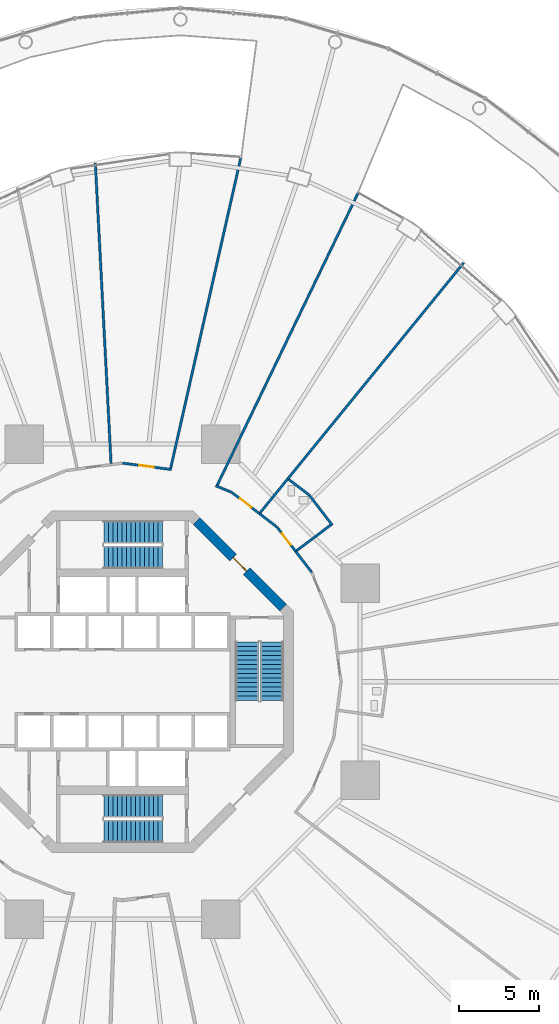
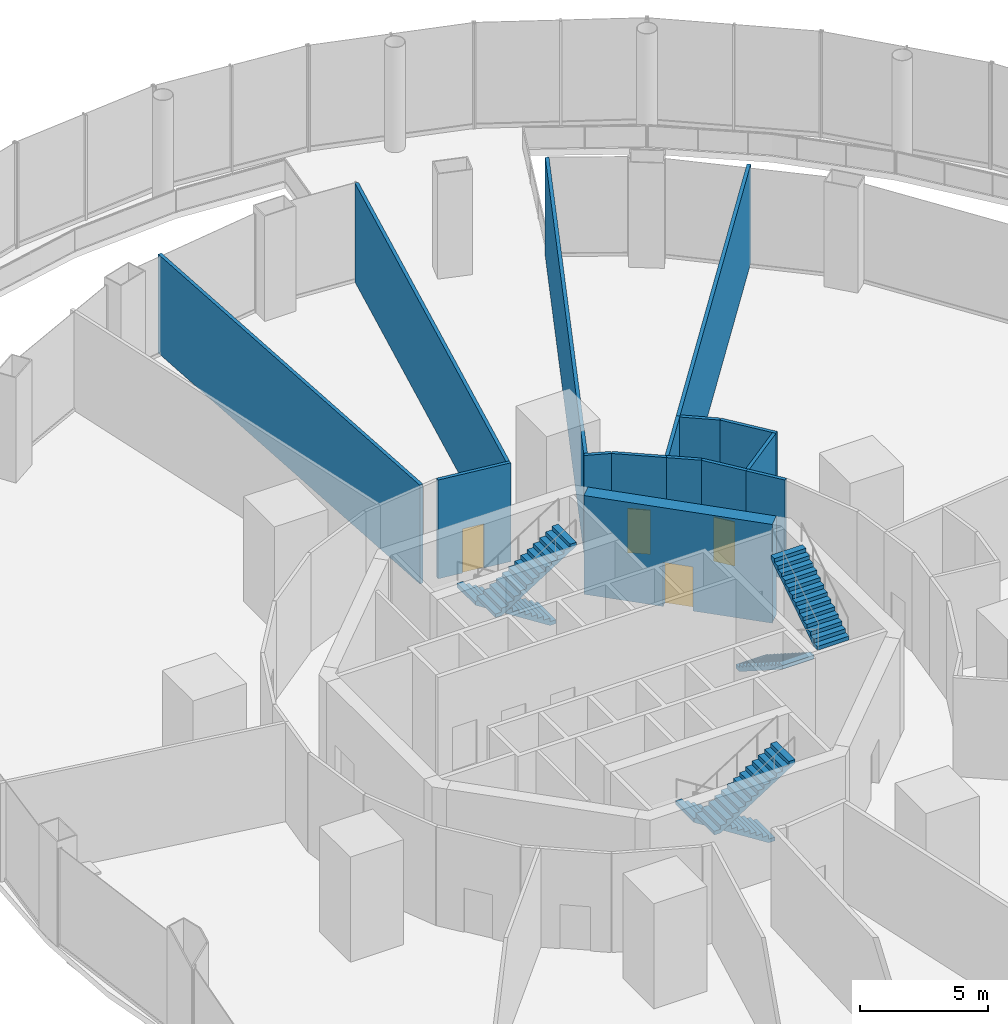
# One storey, part 44 of 47: 15 walls, 6 stair flights, 4 doors, 4 openings, 3 elements without a shape of their own.
"""IFC4 building model written with IfcOpenShell, lengths in metres."""

import ifcopenshell
import ifcopenshell.guid

model = None  # the IFC model being written
_history = None  # IfcOwnerHistory: only IFC2X3 demands one
_inside = {}  # id of a spatial element -> (the spatial element, [elements in it])
_under = {}  # id of a project, library or spatial element -> (it, [spatial elements below it])
_declared = {}  # id of a project -> (the project, [libraries it declares])
_typed = {}  # id of a type object -> (the type object, [elements of that type])
_made_of = {}  # id of a material, layer set ... -> (it, [elements and type objects made of it])


def new_model(schema):
    """Start an empty IFC model of exactly this schema.

    Asked for "IFC4X3", IfcOpenShell would pick the latest addendum, in which some entities
    have other attributes; the version numbers below select the first issue.
    IFC2X3 requires an IfcOwnerHistory on every rooted entity: one is made here for all.
    """
    global model, _history
    if schema == "IFC4X3":
        model = ifcopenshell.file(schema_version=(4, 3, 0, 0))
    else:
        model = ifcopenshell.file(schema=schema)
    _inside.clear()
    _under.clear()
    _declared.clear()
    _typed.clear()
    _made_of.clear()
    _history = None
    if model.schema == "IFC2X3":
        org = make("IfcOrganization", Name="unknown")
        user = make(
            "IfcPersonAndOrganization",
            ThePerson=make("IfcPerson", FamilyName="unknown"),
            TheOrganization=org,
        )
        app = make(
            "IfcApplication",
            ApplicationDeveloper=org,
            Version="unknown",
            ApplicationFullName="unknown",
            ApplicationIdentifier="unknown",
        )
        _history = make(
            "IfcOwnerHistory",
            OwningUser=user,
            OwningApplication=app,
            ChangeAction="ADDED",
            CreationDate=0,
        )
    return model


def make(cls, **values):
    """One entity of the class cls with the attributes given. An attribute that is None is left unset."""
    return model.create_entity(
        cls, **{name: value for name, value in values.items() if value is not None}
    )


def rooted(cls, **values):
    """An entity with a GlobalId (a new one), such as an element, a storey or a relation."""
    return make(cls, GlobalId=ifcopenshell.guid.new(), OwnerHistory=_history, **values)


def si_unit(unit_type, name, prefix=None):
    """IfcSIUnit, for example si_unit("LENGTHUNIT", "METRE", prefix="MILLI")."""
    return make("IfcSIUnit", UnitType=unit_type, Prefix=prefix, Name=name)


def assignment(units):
    """IfcUnitAssignment: the units of a project."""
    return None if units is None else make("IfcUnitAssignment", Units=units)


def point(xyz):
    """IfcCartesianPoint."""
    return None if xyz is None else make("IfcCartesianPoint", Coordinates=xyz)


def direction(xyz):
    """IfcDirection."""
    return None if xyz is None else make("IfcDirection", DirectionRatios=xyz)


def frame(location, z_axis=None, x_axis=None):
    """IfcAxis2Placement3D, a coordinate frame: its origin and axes. An axis left out is left unset."""
    return make(
        "IfcAxis2Placement3D",
        Location=point(location),
        Axis=direction(z_axis),
        RefDirection=direction(x_axis),
    )


def frame_2d(location, x_axis=None):
    """IfcAxis2Placement2D, a coordinate frame in the plane: its origin and x axis."""
    return make(
        "IfcAxis2Placement2D", Location=point(location), RefDirection=direction(x_axis)
    )


def origin():
    """The frame at (0, 0, 0) with its axes left unset."""
    return frame((0.0, 0.0, 0.0))


def place(relative_to, where):
    """IfcLocalPlacement: puts the frame where relative to a parent placement (None: the world)."""
    return make(
        "IfcLocalPlacement", PlacementRelTo=relative_to, RelativePlacement=where
    )


def context(
    kind, dimensions, precision=None, world=None, true_north=None, identifier=None
):
    """IfcGeometricRepresentationContext, for example the 3D "Model" context."""
    return make(
        "IfcGeometricRepresentationContext",
        ContextIdentifier=identifier,
        ContextType=kind,
        CoordinateSpaceDimension=dimensions,
        Precision=precision,
        WorldCoordinateSystem=world,
        TrueNorth=true_north,
    )


def subcontext(parent, identifier, kind, view, scale=None):
    """IfcGeometricRepresentationSubContext, for example "Body" below "Model"."""
    return make(
        "IfcGeometricRepresentationSubContext",
        ContextIdentifier=identifier,
        ContextType=kind,
        ParentContext=parent,
        TargetScale=scale,
        TargetView=view,
    )


def project(units=None, contexts=None):
    """IfcProject with its units and contexts."""
    return rooted(
        "IfcProject",
        Name="project",
        RepresentationContexts=contexts,
        UnitsInContext=assignment(units),
    )


def spatial(cls, under=None, at=None, **own):
    """A site, building, storey or space (cls), placed at a placement, below another one or the project."""
    s = rooted(cls, ObjectPlacement=at, **own)
    if under is not None:
        _under.setdefault(under.id(), (under, []))[1].append(s)
    return s


def polyline(points):
    """IfcPolyline through the points."""
    return make("IfcPolyline", Points=[point(p) for p in points])


def profile(cls, at=None, kind="AREA", **sizes):
    """A parametric profile (cls). Its sizes go by their IFC names, for example OverallWidth=200.0."""
    return make(cls, ProfileType=kind, Position=at, **sizes)


def rectangle(**sizes):
    """IfcRectangleProfileDef."""
    return profile("IfcRectangleProfileDef", **sizes)


def outline(outer, holes=None, kind="AREA"):
    """IfcArbitraryClosedProfileDef: a profile drawn as a closed curve; with holes, ...WithVoids."""
    if holes is None:
        return make("IfcArbitraryClosedProfileDef", ProfileType=kind, OuterCurve=outer)
    return make(
        "IfcArbitraryProfileDefWithVoids",
        ProfileType=kind,
        OuterCurve=outer,
        InnerCurves=holes,
    )


def extrude(swept, where, along, depth):
    """IfcExtrudedAreaSolid: the profile swept, set in the frame where, extruded along a direction by depth."""
    return make(
        "IfcExtrudedAreaSolid",
        SweptArea=swept,
        Position=where,
        ExtrudedDirection=direction(along),
        Depth=depth,
    )


def shape(context_of_items, identifier, shape_type, items):
    """IfcShapeRepresentation: the items that make up one representation, for example the "Body"."""
    return make(
        "IfcShapeRepresentation",
        ContextOfItems=context_of_items,
        RepresentationIdentifier=identifier,
        RepresentationType=shape_type,
        Items=items,
    )


def material(Name=None, Category=None):
    """IfcMaterial."""
    return make("IfcMaterial", Name=Name, Category=Category)


def layer(
    of_material, thickness, ventilated=None, Name=None, Category=None, Priority=None
):
    """IfcMaterialLayer: one layer of a wall or slab, of a material (None: an air gap)."""
    return make(
        "IfcMaterialLayer",
        Material=of_material,
        LayerThickness=thickness,
        IsVentilated=ventilated,
        Name=Name,
        Category=Category,
        Priority=Priority,
    )


def layer_set(layers, Name=None):
    """IfcMaterialLayerSet."""
    return make("IfcMaterialLayerSet", MaterialLayers=layers, LayerSetName=Name)


def made_of(thing, what):
    """Note that an element or type object is made of a material, layer set ...; save() writes the relation."""
    if what is not None:
        _made_of.setdefault(what.id(), (what, []))[1].append(thing)
    return thing


def type_object(cls, material=None, **own):
    """A type object (cls), such as IfcWallType, which elements share."""
    return made_of(rooted(cls, **own), material)


def element(
    cls,
    number,
    at=None,
    inside=None,
    cuts=None,
    type_object=None,
    material=None,
    context=None,
    identifier="Body",
    shape_type=None,
    held_by="IfcProductDefinitionShape",
    body=None,
    shapes=None,
    **own,
):
    """One element of the class cls, such as IfcWall. Its Tag is "e" and its number.

    at: its placement. inside: the storey or other place that contains it. cuts: it is an
    opening in that element (IfcRelVoidsElement). A single representation is given by context,
    identifier, shape_type and body (its items); several are given by shapes. held_by: the class
    of the entity that holds the representations. save() writes the other relations.
    """
    e = rooted(cls, Tag="e%d" % number, ObjectPlacement=at, **own)
    if body is not None:
        shapes = [shape(context, identifier, shape_type, body)]
    if shapes is not None:
        e.Representation = make(held_by, Representations=shapes)
    if inside is not None:
        _inside.setdefault(inside.id(), (inside, []))[1].append(e)
    if cuts is not None:
        rooted(
            "IfcRelVoidsElement", RelatingBuildingElement=cuts, RelatedOpeningElement=e
        )
    if type_object is not None:
        _typed.setdefault(type_object.id(), (type_object, []))[1].append(e)
    return made_of(e, material)


def fill(opening, filler):
    """IfcRelFillsElement: the door or window that sits in an opening."""
    return rooted(
        "IfcRelFillsElement",
        RelatingOpeningElement=opening,
        RelatedBuildingElement=filler,
    )


def aggregate(whole, parts):
    """IfcRelAggregates: a whole, such as a stair, and the parts it consists of."""
    return rooted("IfcRelAggregates", RelatingObject=whole, RelatedObjects=parts)


def save(model, path):
    """Write the relations noted so far, then the file.

    IfcRelAggregates (storeys below a building ...), IfcRelContainedInSpatialStructure (elements
    in a storey), IfcRelDefinesByType, IfcRelAssociatesMaterial and IfcRelDeclares: one each for
    every whole, place, type object, material and project.
    """
    for whole, parts in _under.values():
        aggregate(whole, parts)
    for where, things in _inside.values():
        rooted(
            "IfcRelContainedInSpatialStructure",
            RelatedElements=things,
            RelatingStructure=where,
        )
    for kind, things in _typed.values():
        rooted("IfcRelDefinesByType", RelatedObjects=things, RelatingType=kind)
    for what, things in _made_of.values():
        rooted("IfcRelAssociatesMaterial", RelatedObjects=things, RelatingMaterial=what)
    for by, libraries in _declared.values():
        rooted("IfcRelDeclares", RelatingContext=by, RelatedDefinitions=libraries)
    model.write(path)


model = new_model("IFC4")

# Units and contexts
model_context = context("Model", 3, precision=1e-05, world=origin(), true_north=direction((0.0, 1.0)))
body_context = subcontext(model_context, "Body", "Model", "MODEL_VIEW")
ifc_project = project(units=[si_unit("LENGTHUNIT", "METRE"), si_unit("AREAUNIT", "SQUARE_METRE"), si_unit("VOLUMEUNIT", "CUBIC_METRE"), si_unit("PLANEANGLEUNIT", "RADIAN"), si_unit("MASSUNIT", "GRAM", prefix="KILO")], contexts=[model_context])

# Site, building, storey
site_placement = place(None, origin())
site = spatial("IfcSite", under=ifc_project, at=site_placement, CompositionType="ELEMENT")
building_placement = place(site_placement, origin())
building = spatial("IfcBuilding", under=site, at=building_placement, Name="Nagisa Residences", CompositionType="ELEMENT")
storey_placement = place(building_placement, frame((0.0, 0.0, 7.0)))
storey = spatial("IfcBuildingStorey", under=building, at=storey_placement, Name="L01", CompositionType="ELEMENT", Elevation=7.0)

# Wall, opening, door
ifc_material_1 = material(Name="Concrete C60", Category="concrete")
ifc_layer_1 = layer(ifc_material_1, 0.60009765625)
ifc_layer_set_1 = layer_set([ifc_layer_1], Name="Core shear wall 600")
wall_type_1 = type_object("IfcWallType", Name="Core shear wall 600", PredefinedType="SHEAR", material=ifc_layer_set_1)
wall_1_placement = place(storey_placement, frame((9.98828125, 4.613037109375, 0.0), z_axis=(0.0, 0.0, 1.0), x_axis=(-0.707106781187, 0.707106781187, 0.0)))
wall_1 = element("IfcWall", 1, at=wall_1_placement, inside=storey, type_object=wall_type_1, Name="wall:L01:core:flat1", PredefinedType="SHEAR", context=body_context, shape_type="SweptSolid", body=[
    extrude(rectangle(XDim=7.601806640625, YDim=0.60009765625, at=frame_2d((3.80078125, 0.0))), origin(), (0.0, 0.0, 1.0), 4.699951171875),
])
opening_1_placement = place(wall_1_placement, frame((3.200927734375, 0.0, 0.0)))
opening_1 = element("IfcOpeningElement", 2, at=opening_1_placement, cuts=wall_1, Name="Opening L01-C15", PredefinedType="OPENING", context=body_context, shape_type="SweptSolid", body=[
    extrude(rectangle(XDim=1.199951171875, YDim=2.10009765625, at=frame_2d((0.60009765625, 1.050048828125))), frame((0.0, 0.31005859375, 0.0), z_axis=(0.0, -1.0, 0.0), x_axis=(1.0, 0.0, 0.0)), (0.0, 0.0, 1.0), 0.6201171875),
])
ifc_material_2 = material(Name="Steel fire door", Category="steel")
door_type_1 = type_object("IfcDoorType", Name="Fire door EI60 1200x2100 single swing", OperationType="NOTDEFINED", PredefinedType="DOOR", material=ifc_material_2)
door_1_placement = place(opening_1_placement, origin())
door_1 = element("IfcDoor", 3, at=door_1_placement, inside=storey, type_object=door_type_1, Name="Firefighting lobby 1 door L01", OperationType="SINGLE_SWING_LEFT", OverallHeight=2.10009765625, OverallWidth=1.199951171875, PredefinedType="DOOR", context=body_context, shape_type="SweptSolid", body=[
    extrude(rectangle(XDim=1.199951171875, YDim=2.10009765625, at=frame_2d((0.60009765625, 1.050048828125))), frame((0.0, 0.02490234375, 0.0), z_axis=(0.0, -1.0, 0.0), x_axis=(1.0, 0.0, 0.0)), (0.0, 0.0, 1.0), 0.050048828125),
])
fill(opening_1, door_1)

# Wall
ifc_material_3 = material(Name="Gypsum board on steel studs", Category="steel")
ifc_layer_2 = layer(ifc_material_3, 0.14990234375)
ifc_layer_set_2 = layer_set([ifc_layer_2], Name="Room partition EI60 150")
wall_type_2 = type_object("IfcWallType", Name="Room partition EI60 150", PredefinedType="PARTITIONING", material=ifc_layer_set_2)
wall_2_placement = place(storey_placement, frame((-0.7119140625, 13.58203125, 0.0), z_axis=(0.0, 0.0, 1.0), x_axis=(-0.052329494039, 0.998629873403, 0.0)))
element("IfcWall", 4, at=wall_2_placement, inside=storey, type_object=wall_type_2, Name="wall:L01:am019", PredefinedType="PARTITIONING", context=body_context, shape_type="SweptSolid", body=[
    extrude(rectangle(XDim=18.7177734375, YDim=0.14990234375, at=frame_2d((9.35888671875, 0.0))), origin(), (0.0, 0.0, 1.0), 4.699951171875),
])

# Wall, opening, door
wall_3_placement = place(storey_placement, frame((0.01171875, 13.598388671875, 0.0), z_axis=(0.0, 0.0, 1.0), x_axis=(0.991450776896, -0.130481251495, 0.0)))
wall_3 = element("IfcWall", 5, at=wall_3_placement, inside=storey, type_object=wall_type_2, Name="wall:L01:am021", PredefinedType="PARTITIONING", context=body_context, shape_type="SweptSolid", body=[
    extrude(rectangle(XDim=3.070556640625, YDim=0.14990234375, at=frame_2d((1.53515625, 0.0))), origin(), (0.0, 0.0, 1.0), 4.699951171875),
])
opening_2_placement = place(wall_3_placement, frame((1.04150390625, 0.0, 0.0)))
opening_2 = element("IfcOpeningElement", 6, at=opening_2_placement, cuts=wall_3, Name="Opening L01-A04", PredefinedType="OPENING", context=body_context, shape_type="SweptSolid", body=[
    extrude(rectangle(XDim=0.89990234375, YDim=2.10009765625, at=frame_2d((0.449951171875, 1.050048828125))), frame((0.0, 0.0849609375, 0.0), z_axis=(0.0, -1.0, 0.0), x_axis=(1.0, 0.0, 0.0)), (0.0, 0.0, 1.0), 0.169921875),
])
ifc_material_4 = material(Name="Steel fire door", Category="steel")
door_type_2 = type_object("IfcDoorType", Name="Fire door EI30 900x2100 single swing", OperationType="NOTDEFINED", PredefinedType="DOOR", material=ifc_material_4)
door_2_placement = place(opening_2_placement, origin())
door_2 = element("IfcDoor", 7, at=door_2_placement, inside=storey, type_object=door_type_2, Name="Yoga studio 2 door", OperationType="SINGLE_SWING_RIGHT", OverallHeight=2.10009765625, OverallWidth=0.89990234375, PredefinedType="DOOR", context=body_context, shape_type="SweptSolid", body=[
    extrude(rectangle(XDim=0.89990234375, YDim=2.10009765625, at=frame_2d((0.449951171875, 1.050048828125))), frame((0.0, 0.02490234375, 0.0), z_axis=(0.0, -1.0, 0.0), x_axis=(1.0, 0.0, 0.0)), (0.0, 0.0, 1.0), 0.050048828125),
])
fill(opening_2, door_2)

# Walls
wall_4_placement = place(storey_placement, frame((2.997802734375, 13.281005859375, 0.0), z_axis=(0.0, 0.0, 1.0), x_axis=(0.220191699756, 0.975456618901, 0.0)))
element("IfcWall", 8, at=wall_4_placement, inside=storey, type_object=wall_type_2, Name="wall:L01:am022", PredefinedType="PARTITIONING", context=body_context, shape_type="SweptSolid", body=[
    extrude(rectangle(XDim=19.82470703125, YDim=0.14990234375, at=frame_2d((9.912353515625, 0.0))), origin(), (0.0, 0.0, 1.0), 4.699951171875),
])
wall_5_placement = place(storey_placement, frame((5.79541015625, 12.194091796875, 0.0), z_axis=(0.0, 0.0, 1.0), x_axis=(0.923867429555, -0.382712650179, 0.0)))
element("IfcWall", 9, at=wall_5_placement, inside=storey, type_object=wall_type_2, Name="wall:L01:am023", PredefinedType="PARTITIONING", context=body_context, shape_type="SweptSolid", body=[
    extrude(rectangle(XDim=1.075439453125, YDim=0.14990234375, at=frame_2d((0.53759765625, 0.0))), origin(), (0.0, 0.0, 1.0), 4.699951171875),
])

# Wall, opening, door
wall_6_placement = place(storey_placement, frame((6.809326171875, 11.770751953125, 0.0), z_axis=(0.0, 0.0, 1.0), x_axis=(0.793372937326, -0.608735888805, 0.0)))
wall_6 = element("IfcWall", 10, at=wall_6_placement, inside=storey, type_object=wall_type_2, Name="wall:L01:am024", PredefinedType="PARTITIONING", context=body_context, shape_type="SweptSolid", body=[
    extrude(rectangle(XDim=2.1552734375, YDim=0.14990234375, at=frame_2d((1.07763671875, 0.0))), origin(), (0.0, 0.0, 1.0), 4.699951171875),
])
opening_3_placement = place(wall_6_placement, frame((0.62158203125, 0.0, 0.0)))
opening_3 = element("IfcOpeningElement", 11, at=opening_3_placement, cuts=wall_6, Name="Opening L01-A03", PredefinedType="OPENING", context=body_context, shape_type="SweptSolid", body=[
    extrude(rectangle(XDim=0.89990234375, YDim=2.10009765625, at=frame_2d((0.449951171875, 1.050048828125))), frame((0.0, 0.0849609375, 0.0), z_axis=(0.0, -1.0, 0.0), x_axis=(1.0, 0.0, 0.0)), (0.0, 0.0, 1.0), 0.169921875),
])
door_3_placement = place(opening_3_placement, origin())
door_3 = element("IfcDoor", 12, at=door_3_placement, inside=storey, type_object=door_type_2, Name="Yoga studio 1 door", OperationType="SINGLE_SWING_LEFT", OverallHeight=2.10009765625, OverallWidth=0.89990234375, PredefinedType="DOOR", context=body_context, shape_type="SweptSolid", body=[
    extrude(rectangle(XDim=0.89990234375, YDim=2.10009765625, at=frame_2d((0.449951171875, 1.050048828125))), frame((0.0, 0.02490234375, 0.0), z_axis=(0.0, -1.0, 0.0), x_axis=(1.0, 0.0, 0.0)), (0.0, 0.0, 1.0), 0.050048828125),
])
fill(opening_3, door_3)

# Walls
wall_7_placement = place(storey_placement, frame((8.519287109375, 10.458740234375, 0.0), z_axis=(0.0, 0.0, 1.0), x_axis=(0.793371316762, -0.6087380009, 0.0)))
element("IfcWall", 13, at=wall_7_placement, inside=storey, type_object=wall_type_2, Name="wall:L01:am025", PredefinedType="PARTITIONING", context=body_context, shape_type="SweptSolid", body=[
    extrude(rectangle(XDim=1.371337890625, YDim=0.14990234375, at=frame_2d((0.685546875, 0.0))), origin(), (0.0, 0.0, 1.0), 4.699951171875),
])
wall_8_placement = place(storey_placement, frame((8.566650390625, 10.51708984375, 0.0), z_axis=(0.0, 0.0, 1.0), x_axis=(0.631573271363, 0.775316195432, 0.0)))
element("IfcWall", 14, at=wall_8_placement, inside=storey, type_object=wall_type_2, Name="wall:L01:am026", PredefinedType="PARTITIONING", context=body_context, shape_type="SweptSolid", body=[
    extrude(rectangle(XDim=2.72607421875, YDim=0.14990234375, at=frame_2d((1.363037109375, 0.0))), origin(), (0.0, 0.0, 1.0), 4.699951171875),
])

# Wall, opening, door
wall_9_placement = place(storey_placement, frame((9.6240234375, 9.607177734375, 0.0), z_axis=(0.0, 0.0, 1.0), x_axis=(0.608754453805, -0.793358692504, 0.0)))
wall_9 = element("IfcWall", 15, at=wall_9_placement, inside=storey, type_object=wall_type_2, Name="wall:L01:am027", PredefinedType="PARTITIONING", context=body_context, shape_type="SweptSolid", body=[
    extrude(rectangle(XDim=1.888427734375, YDim=0.14990234375, at=frame_2d((0.9443359375, 0.0))), origin(), (0.0, 0.0, 1.0), 4.699951171875),
])
opening_4_placement = place(wall_9_placement, frame((0.48828125, 0.0, 0.0)))
opening_4 = element("IfcOpeningElement", 16, at=opening_4_placement, cuts=wall_9, Name="Opening L01-A01", PredefinedType="OPENING", context=body_context, shape_type="SweptSolid", body=[
    extrude(rectangle(XDim=0.89990234375, YDim=2.10009765625, at=frame_2d((0.449951171875, 1.050048828125))), frame((0.0, 0.0849609375, 0.0), z_axis=(0.0, -1.0, 0.0), x_axis=(1.0, 0.0, 0.0)), (0.0, 0.0, 1.0), 0.169921875),
])
door_4_placement = place(opening_4_placement, origin())
door_4 = element("IfcDoor", 17, at=door_4_placement, inside=storey, type_object=door_type_2, Name="Accessible WC door", OperationType="SINGLE_SWING_LEFT", OverallHeight=2.10009765625, OverallWidth=0.89990234375, PredefinedType="DOOR", context=body_context, shape_type="SweptSolid", body=[
    extrude(rectangle(XDim=0.89990234375, YDim=2.10009765625, at=frame_2d((0.449951171875, 1.050048828125))), frame((0.0, 0.02490234375, 0.0), z_axis=(0.0, -1.0, 0.0), x_axis=(1.0, 0.0, 0.0)), (0.0, 0.0, 1.0), 0.050048828125),
])
fill(opening_4, door_4)

# Walls
wall_10_placement = place(storey_placement, frame((10.347900390625, 12.5849609375, 0.0), z_axis=(0.0, 0.0, 1.0), x_axis=(0.793328373205, -0.608793965368, 0.0)))
element("IfcWall", 18, at=wall_10_placement, inside=storey, type_object=wall_type_2, Name="wall:L01:am028", PredefinedType="PARTITIONING", context=body_context, shape_type="SweptSolid", body=[
    extrude(rectangle(XDim=1.583740234375, YDim=0.14990234375, at=frame_2d((0.7919921875, 0.0))), origin(), (0.0, 0.0, 1.0), 4.699951171875),
])
wall_11_placement = place(storey_placement, frame((10.288330078125, 12.630615234375, 0.0), z_axis=(0.0, 0.0, 1.0), x_axis=(0.631546535922, 0.77533797338, 0.0)))
element("IfcWall", 19, at=wall_11_placement, inside=storey, type_object=wall_type_2, Name="wall:L01:am029", PredefinedType="PARTITIONING", context=body_context, shape_type="SweptSolid", body=[
    extrude(rectangle(XDim=17.3251953125, YDim=0.14990234375, at=frame_2d((8.66259765625, 0.0))), origin(), (0.0, 0.0, 1.0), 4.699951171875),
])
wall_12_placement = place(storey_placement, frame((10.773681640625, 8.10888671875, 0.0), z_axis=(0.0, 0.0, 1.0), x_axis=(0.608716251771, -0.793388003961, 0.0)))
element("IfcWall", 20, at=wall_12_placement, inside=storey, type_object=wall_type_2, Name="wall:L01:am031", PredefinedType="PARTITIONING", context=body_context, shape_type="SweptSolid", body=[
    extrude(rectangle(XDim=1.637939453125, YDim=0.14990234375, at=frame_2d((0.81884765625, 0.0))), origin(), (0.0, 0.0, 1.0), 4.699951171875),
])
wall_13_placement = place(storey_placement, frame((11.620849609375, 11.604248046875, 0.0), z_axis=(0.0, 0.0, 1.0), x_axis=(0.608759688573, -0.793354675771, 0.0)))
element("IfcWall", 21, at=wall_13_placement, inside=storey, type_object=wall_type_2, Name="wall:L01:am032", PredefinedType="PARTITIONING", context=body_context, shape_type="SweptSolid", body=[
    extrude(rectangle(XDim=2.358154296875, YDim=0.14990234375, at=frame_2d((1.17919921875, 0.0))), origin(), (0.0, 0.0, 1.0), 4.699951171875),
])
wall_14_placement = place(storey_placement, frame((12.950927734375, 9.747802734375, 0.0), z_axis=(0.0, 0.0, 1.0), x_axis=(-0.798970748419, -0.601369888813, 0.0)))
element("IfcWall", 22, at=wall_14_placement, inside=storey, type_object=wall_type_2, Name="wall:L01:am035", PredefinedType="PARTITIONING", context=body_context, shape_type="SweptSolid", body=[
    extrude(rectangle(XDim=2.650146484375, YDim=0.14990234375, at=frame_2d((1.3251953125, 0.0))), origin(), (0.0, 0.0, 1.0), 4.699951171875),
])
wall_15_placement = place(storey_placement, frame((14.654296875, 30.397705078125, 0.0), z_axis=(0.0, 0.0, 1.0), x_axis=(-0.434261119912, -0.900787033506, 0.0)))
element("IfcWall", 23, at=wall_15_placement, inside=storey, type_object=wall_type_2, Name="wall:L01:am041", PredefinedType="PARTITIONING", context=body_context, shape_type="SweptSolid", body=[
    extrude(rectangle(XDim=20.16552734375, YDim=0.14990234375, at=frame_2d((10.082763671875, 0.0))), origin(), (0.0, 0.0, 1.0), 4.699951171875),
])

# Stair, stair flights
ifc_material_5 = material(Name="Concrete C60", Category="concrete")
stair_type = type_object("IfcStairType", Name="Exit stair", PredefinedType="HALF_TURN_STAIR", material=ifc_material_5)
stair_1_placement = place(storey_placement, origin())
stair_1 = element("IfcStair", 24, at=stair_1_placement, inside=storey, type_object=stair_type, Name="L01 Exit stair E", PredefinedType="HALF_TURN_STAIR")
ifc_material_6 = material(Name="Concrete C60", Category="concrete")
stair_flight_type = type_object("IfcStairFlightType", Name="Exit stair flight", PredefinedType="STRAIGHT", material=ifc_material_6)
stair_flight_1_placement = place(storey_placement, frame((7.737060546875, 2.47509765625, 0.0), z_axis=(0.0, 0.0, 1.0), x_axis=(0.0, -1.0, 0.0)))
stair_flight_1 = element("IfcStairFlight", 25, at=stair_flight_1_placement, type_object=stair_flight_type, Name="ST-E flight 1", NumberOfRisers=14, NumberOfTreads=13, PredefinedType="STRAIGHT", RiserHeight=0.178571429, TreadLength=0.28, context=body_context, shape_type="SweptSolid", body=[
    extrude(outline(polyline([(0.0, 0.0), (0.0, 0.178466796875), (0.280029296875, 0.178466796875), (0.280029296875, 0.357177734375), (0.56005859375, 0.357177734375), (0.56005859375, 0.53564453125), (0.840087890625, 0.53564453125), (0.840087890625, 0.71435546875), (1.1201171875, 0.71435546875), (1.1201171875, 0.892822265625), (1.39990234375, 0.892822265625), (1.39990234375, 1.071533203125), (1.679931640625, 1.071533203125), (1.679931640625, 1.25), (1.9599609375, 1.25), (1.9599609375, 1.428466796875), (2.239990234375, 1.428466796875), (2.239990234375, 1.607177734375), (2.52001953125, 1.607177734375), (2.52001953125, 1.78564453125), (2.800048828125, 1.78564453125), (2.800048828125, 1.96435546875), (3.080078125, 1.96435546875), (3.080078125, 2.142822265625), (3.360107421875, 2.142822265625), (3.360107421875, 2.321533203125), (3.639892578125, 2.321533203125), (3.639892578125, 2.5), (3.639892578125, 2.1435546875), (0.27880859375, 0.0), (0.0, 0.0)])), frame((0.0, 0.71240234375, 0.0), z_axis=(0.0, -1.0, 0.0), x_axis=(1.0, 0.0, 0.0)), (0.0, 0.0, 1.0), 1.425048828125),
])
stair_flight_2_placement = place(storey_placement, frame((9.31201171875, -1.1650390625, 2.5), z_axis=(0.0, 0.0, 1.0), x_axis=(0.0, 1.0, 0.0)))
stair_flight_2 = element("IfcStairFlight", 26, at=stair_flight_2_placement, type_object=stair_flight_type, Name="ST-E flight 2", NumberOfRisers=14, NumberOfTreads=13, PredefinedType="STRAIGHT", RiserHeight=0.178571429, TreadLength=0.28, context=body_context, shape_type="SweptSolid", body=[
    extrude(outline(polyline([(0.0, 0.0), (0.0, 0.178466796875), (0.280029296875, 0.178466796875), (0.280029296875, 0.357177734375), (0.56005859375, 0.357177734375), (0.56005859375, 0.53564453125), (0.840087890625, 0.53564453125), (0.840087890625, 0.71435546875), (1.1201171875, 0.71435546875), (1.1201171875, 0.892822265625), (1.39990234375, 0.892822265625), (1.39990234375, 1.071533203125), (1.679931640625, 1.071533203125), (1.679931640625, 1.25), (1.9599609375, 1.25), (1.9599609375, 1.428466796875), (2.239990234375, 1.428466796875), (2.239990234375, 1.607177734375), (2.52001953125, 1.607177734375), (2.52001953125, 1.78564453125), (2.800048828125, 1.78564453125), (2.800048828125, 1.96435546875), (3.080078125, 1.96435546875), (3.080078125, 2.142822265625), (3.360107421875, 2.142822265625), (3.360107421875, 2.321533203125), (3.639892578125, 2.321533203125), (3.639892578125, 2.5), (3.639892578125, 2.1435546875), (0.27880859375, 0.0), (0.0, 0.0)])), frame((0.0, 0.71240234375, 0.0), z_axis=(0.0, -1.0, 0.0), x_axis=(1.0, 0.0, 0.0)), (0.0, 0.0, 1.0), 1.425048828125),
])
aggregate(stair_1, [stair_flight_1, stair_flight_2])

stair_2_placement = place(storey_placement, origin())
stair_2 = element("IfcStair", 27, at=stair_2_placement, inside=storey, type_object=stair_type, Name="L01 Exit stair N", PredefinedType="HALF_TURN_STAIR")
stair_flight_3_placement = place(storey_placement, frame((2.47509765625, 9.31201171875, 0.0), z_axis=(0.0, 0.0, 1.0), x_axis=(-1.0, 0.0, 0.0)))
stair_flight_3 = element("IfcStairFlight", 28, at=stair_flight_3_placement, type_object=stair_flight_type, Name="ST-N flight 1", NumberOfRisers=14, NumberOfTreads=13, PredefinedType="STRAIGHT", RiserHeight=0.178571429, TreadLength=0.28, context=body_context, shape_type="SweptSolid", body=[
    extrude(outline(polyline([(0.0, 0.0), (0.0, 0.178466796875), (0.280029296875, 0.178466796875), (0.280029296875, 0.357177734375), (0.56005859375, 0.357177734375), (0.56005859375, 0.53564453125), (0.840087890625, 0.53564453125), (0.840087890625, 0.71435546875), (1.1201171875, 0.71435546875), (1.1201171875, 0.892822265625), (1.39990234375, 0.892822265625), (1.39990234375, 1.071533203125), (1.679931640625, 1.071533203125), (1.679931640625, 1.25), (1.9599609375, 1.25), (1.9599609375, 1.428466796875), (2.239990234375, 1.428466796875), (2.239990234375, 1.607177734375), (2.52001953125, 1.607177734375), (2.52001953125, 1.78564453125), (2.800048828125, 1.78564453125), (2.800048828125, 1.96435546875), (3.080078125, 1.96435546875), (3.080078125, 2.142822265625), (3.360107421875, 2.142822265625), (3.360107421875, 2.321533203125), (3.639892578125, 2.321533203125), (3.639892578125, 2.5), (3.639892578125, 2.1435546875), (0.27880859375, 0.0), (0.0, 0.0)])), frame((0.0, 0.71240234375, 0.0), z_axis=(0.0, -1.0, 0.0), x_axis=(1.0, 0.0, 0.0)), (0.0, 0.0, 1.0), 1.425048828125),
])
stair_flight_4_placement = place(storey_placement, frame((-1.1650390625, 7.737060546875, 2.5), z_axis=(0.0, 0.0, 1.0), x_axis=(1.0, 0.0, 0.0)))
stair_flight_4 = element("IfcStairFlight", 29, at=stair_flight_4_placement, type_object=stair_flight_type, Name="ST-N flight 2", NumberOfRisers=14, NumberOfTreads=13, PredefinedType="STRAIGHT", RiserHeight=0.178571429, TreadLength=0.28, context=body_context, shape_type="SweptSolid", body=[
    extrude(outline(polyline([(0.0, 0.0), (0.0, 0.178466796875), (0.280029296875, 0.178466796875), (0.280029296875, 0.357177734375), (0.56005859375, 0.357177734375), (0.56005859375, 0.53564453125), (0.840087890625, 0.53564453125), (0.840087890625, 0.71435546875), (1.1201171875, 0.71435546875), (1.1201171875, 0.892822265625), (1.39990234375, 0.892822265625), (1.39990234375, 1.071533203125), (1.679931640625, 1.071533203125), (1.679931640625, 1.25), (1.9599609375, 1.25), (1.9599609375, 1.428466796875), (2.239990234375, 1.428466796875), (2.239990234375, 1.607177734375), (2.52001953125, 1.607177734375), (2.52001953125, 1.78564453125), (2.800048828125, 1.78564453125), (2.800048828125, 1.96435546875), (3.080078125, 1.96435546875), (3.080078125, 2.142822265625), (3.360107421875, 2.142822265625), (3.360107421875, 2.321533203125), (3.639892578125, 2.321533203125), (3.639892578125, 2.5), (3.639892578125, 2.1435546875), (0.27880859375, 0.0), (0.0, 0.0)])), frame((0.0, 0.71240234375, 0.0), z_axis=(0.0, -1.0, 0.0), x_axis=(1.0, 0.0, 0.0)), (0.0, 0.0, 1.0), 1.425048828125),
])
aggregate(stair_2, [stair_flight_3, stair_flight_4])

stair_3_placement = place(storey_placement, origin())
stair_3 = element("IfcStair", 30, at=stair_3_placement, inside=storey, type_object=stair_type, Name="L01 Exit stair S", PredefinedType="HALF_TURN_STAIR")
stair_flight_5_placement = place(storey_placement, frame((2.47509765625, -7.737060546875, 0.0), z_axis=(0.0, 0.0, 1.0), x_axis=(-1.0, 0.0, 0.0)))
stair_flight_5 = element("IfcStairFlight", 31, at=stair_flight_5_placement, type_object=stair_flight_type, Name="ST-S flight 1", NumberOfRisers=14, NumberOfTreads=13, PredefinedType="STRAIGHT", RiserHeight=0.178571429, TreadLength=0.28, context=body_context, shape_type="SweptSolid", body=[
    extrude(outline(polyline([(0.0, 0.0), (0.0, 0.178466796875), (0.280029296875, 0.178466796875), (0.280029296875, 0.357177734375), (0.56005859375, 0.357177734375), (0.56005859375, 0.53564453125), (0.840087890625, 0.53564453125), (0.840087890625, 0.71435546875), (1.1201171875, 0.71435546875), (1.1201171875, 0.892822265625), (1.39990234375, 0.892822265625), (1.39990234375, 1.071533203125), (1.679931640625, 1.071533203125), (1.679931640625, 1.25), (1.9599609375, 1.25), (1.9599609375, 1.428466796875), (2.239990234375, 1.428466796875), (2.239990234375, 1.607177734375), (2.52001953125, 1.607177734375), (2.52001953125, 1.78564453125), (2.800048828125, 1.78564453125), (2.800048828125, 1.96435546875), (3.080078125, 1.96435546875), (3.080078125, 2.142822265625), (3.360107421875, 2.142822265625), (3.360107421875, 2.321533203125), (3.639892578125, 2.321533203125), (3.639892578125, 2.5), (3.639892578125, 2.1435546875), (0.27880859375, 0.0), (0.0, 0.0)])), frame((0.0, 0.71240234375, 0.0), z_axis=(0.0, -1.0, 0.0), x_axis=(1.0, 0.0, 0.0)), (0.0, 0.0, 1.0), 1.425048828125),
])
stair_flight_6_placement = place(storey_placement, frame((-1.1650390625, -9.31201171875, 2.5), z_axis=(0.0, 0.0, 1.0), x_axis=(1.0, 0.0, 0.0)))
stair_flight_6 = element("IfcStairFlight", 32, at=stair_flight_6_placement, type_object=stair_flight_type, Name="ST-S flight 2", NumberOfRisers=14, NumberOfTreads=13, PredefinedType="STRAIGHT", RiserHeight=0.178571429, TreadLength=0.28, context=body_context, shape_type="SweptSolid", body=[
    extrude(outline(polyline([(0.0, 0.0), (0.0, 0.178466796875), (0.280029296875, 0.178466796875), (0.280029296875, 0.357177734375), (0.56005859375, 0.357177734375), (0.56005859375, 0.53564453125), (0.840087890625, 0.53564453125), (0.840087890625, 0.71435546875), (1.1201171875, 0.71435546875), (1.1201171875, 0.892822265625), (1.39990234375, 0.892822265625), (1.39990234375, 1.071533203125), (1.679931640625, 1.071533203125), (1.679931640625, 1.25), (1.9599609375, 1.25), (1.9599609375, 1.428466796875), (2.239990234375, 1.428466796875), (2.239990234375, 1.607177734375), (2.52001953125, 1.607177734375), (2.52001953125, 1.78564453125), (2.800048828125, 1.78564453125), (2.800048828125, 1.96435546875), (3.080078125, 1.96435546875), (3.080078125, 2.142822265625), (3.360107421875, 2.142822265625), (3.360107421875, 2.321533203125), (3.639892578125, 2.321533203125), (3.639892578125, 2.5), (3.639892578125, 2.1435546875), (0.27880859375, 0.0), (0.0, 0.0)])), frame((0.0, 0.71240234375, 0.0), z_axis=(0.0, -1.0, 0.0), x_axis=(1.0, 0.0, 0.0)), (0.0, 0.0, 1.0), 1.425048828125),
])
aggregate(stair_3, [stair_flight_5, stair_flight_6])

save(model, "model.ifc")
